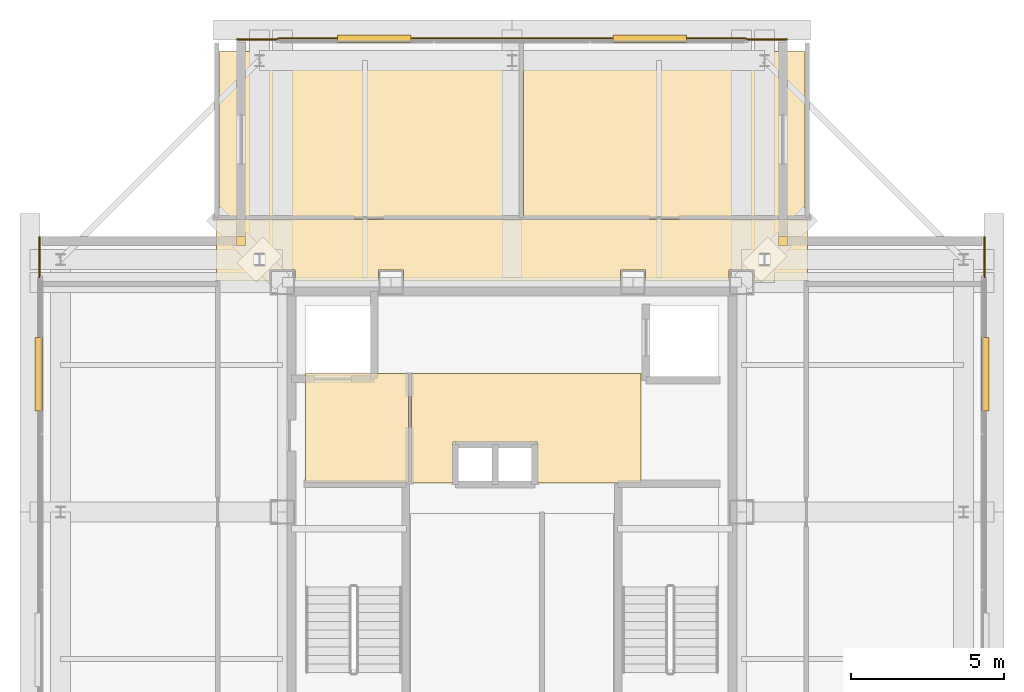
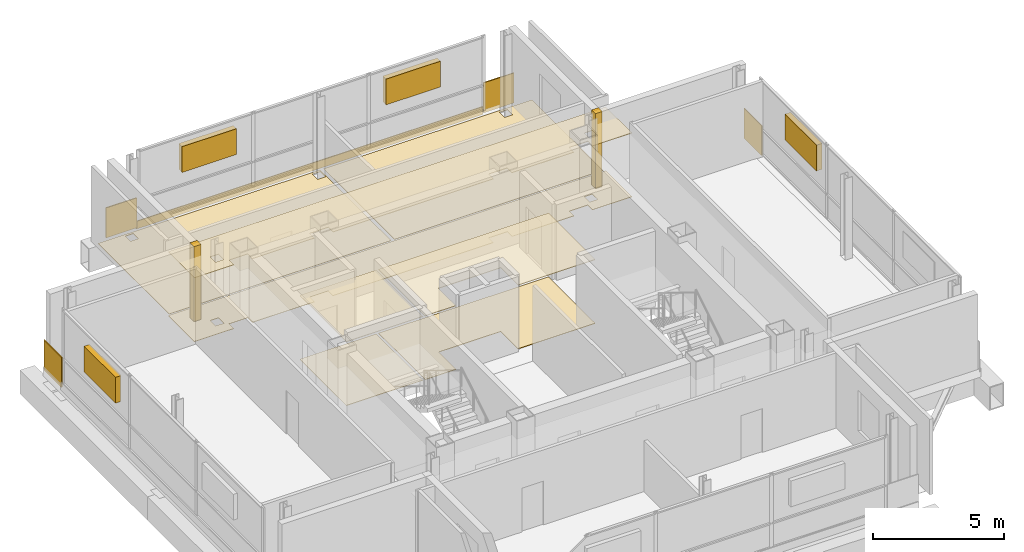
# One storey, part 10 of 10: 15 coverings, 4 shading devices.
"""IFC4 building model written with IfcOpenShell, lengths in metres."""

from ifc_helpers import new_model, si_unit, direction, frame, frame_2d, origin, origin_2d, place, context, subcontext, project, spatial, polyline, rectangle, outline, extrude, material, layer, layer_set, type_object, element, save


model = new_model("IFC4")

# Units and contexts
model_context = context("Model", 3, precision=1e-05, world=origin(), true_north=direction((0.0, 1.0)))
body_context = subcontext(model_context, "Body", "Model", "MODEL_VIEW")
ifc_project = project(units=[si_unit("LENGTHUNIT", "METRE"), si_unit("AREAUNIT", "SQUARE_METRE"), si_unit("VOLUMEUNIT", "CUBIC_METRE"), si_unit("PLANEANGLEUNIT", "RADIAN"), si_unit("MASSUNIT", "GRAM", prefix="KILO")], contexts=[model_context])

# Site, building, storey
site_placement = place(None, origin())
site = spatial("IfcSite", under=ifc_project, at=site_placement, CompositionType="ELEMENT")
building_placement = place(site_placement, origin())
building = spatial("IfcBuilding", under=site, at=building_placement, Name="Trevonay Congress Spire", CompositionType="ELEMENT")
storey_placement = place(building_placement, frame((0.0, 0.0, 316.0)))
storey = spatial("IfcBuildingStorey", under=building, at=storey_placement, Name="L83", CompositionType="ELEMENT", Elevation=316.0)

# Coverings
ifc_material_1 = material(Name="Acoustic Mineral Fibre Board", Category="gypsum")
ifc_layer_1 = layer(ifc_material_1, 0.02490234375, Name="Acoustic Mineral Fibre Board")
ifc_layer_set_1 = layer_set([ifc_layer_1], Name="Acoustic Mineral Fibre Board")
covering_type_1 = type_object("IfcCoveringType", Name="COV-CEIL-ACOUSTIC", PredefinedType="CEILING", material=ifc_layer_set_1)
covering_1_placement = place(storey_placement, frame((0.0, 0.0, 2.969970703125)))
element("IfcCovering", 1, at=covering_1_placement, inside=storey, type_object=covering_type_1, Name="L83 Firefighting Lift Lobby West acoustic suspended ceiling", PredefinedType="CEILING", context=body_context, shape_type="SweptSolid", body=[
    extrude(outline(polyline([(-6.75, 0.9599609375), (-3.3798828125, 0.9599609375), (-3.3798828125, 4.52001953125), (-6.75, 4.52001953125), (-6.75, 0.9599609375)])), origin(), (0.0, 0.0, 1.0), 0.025146484375),
])
covering_2_placement = place(storey_placement, frame((0.0, 0.0, 2.969970703125)))
element("IfcCovering", 2, at=covering_2_placement, inside=storey, type_object=covering_type_1, Name="L83 Central and High-Rise Passenger Lift Lobby acoustic suspended ceiling", PredefinedType="CEILING", context=body_context, shape_type="SweptSolid", body=[
    extrude(outline(polyline([(-3.280029296875, 0.949951171875), (-1.919921875, 0.949951171875), (-1.919921875, 2.280029296875), (0.820068359375, 2.280029296875), (0.820068359375, 0.949951171875), (4.219970703125, 0.949951171875), (4.219970703125, 4.52001953125), (-3.280029296875, 4.52001953125), (-3.280029296875, 0.949951171875)])), origin(), (0.0, 0.0, 1.0), 0.025146484375),
])
covering_3_placement = place(storey_placement, frame((0.0, 0.0, 2.969970703125)))
element("IfcCovering", 3, at=covering_3_placement, inside=storey, type_object=covering_type_1, Name="L83 Crown Gallery Corridor North acoustic suspended ceiling", PredefinedType="CEILING", context=body_context, shape_type="SweptSolid", body=[
    extrude(outline(polyline([(-9.64990234375, 7.550048828125), (-9.64990234375, 9.550048828125), (9.64990234375, 9.550048828125), (9.64990234375, 7.550048828125), (7.909912109375, 7.550048828125), (7.909912109375, 7.909912109375), (7.090087890625, 7.909912109375), (7.090087890625, 7.550048828125), (4.360107421875, 7.550048828125), (4.360107421875, 7.909912109375), (3.5400390625, 7.909912109375), (3.5400390625, 7.550048828125), (-3.5400390625, 7.550048828125), (-3.5400390625, 7.909912109375), (-4.360107421875, 7.909912109375), (-4.360107421875, 7.550048828125), (-7.090087890625, 7.550048828125), (-7.090087890625, 7.909912109375), (-7.909912109375, 7.909912109375), (-7.909912109375, 7.550048828125), (-9.64990234375, 7.550048828125)]), holes=[polyline([(-8.070068359375, 8.45654296875), (-8.429931640625, 8.45654296875), (-8.429931640625, 8.04345703125), (-8.070068359375, 8.04345703125), (-8.070068359375, 8.45654296875)]), polyline([(8.429931640625, 8.45654296875), (8.070068359375, 8.45654296875), (8.070068359375, 8.04345703125), (8.429931640625, 8.04345703125), (8.429931640625, 8.45654296875)])]), origin(), (0.0, 0.0, 1.0), 0.025146484375),
])
ifc_material_2 = material(Name="Polished Granite Floor Tile", Category="masonry")
ifc_layer_2 = layer(ifc_material_2, 0.02001953125, Name="Polished Granite Floor Tile")
ifc_layer_set_2 = layer_set([ifc_layer_2], Name="Polished Granite Floor Tile")
covering_type_2 = type_object("IfcCoveringType", Name="COV-FLOOR-STONE", PredefinedType="FLOORING", material=ifc_layer_set_2)
covering_4_placement = place(storey_placement, origin())
element("IfcCovering", 4, at=covering_4_placement, inside=storey, type_object=covering_type_2, Name="L83 Firefighting Lift Lobby West floor finish", PredefinedType="FLOORING", context=body_context, shape_type="SweptSolid", body=[
    extrude(outline(polyline([(-6.75, 0.9599609375), (-3.3798828125, 0.9599609375), (-3.3798828125, 4.52001953125), (-6.75, 4.52001953125), (-6.75, 0.9599609375)])), origin(), (0.0, 0.0, 1.0), 0.02001953125),
])
covering_5_placement = place(storey_placement, origin())
element("IfcCovering", 5, at=covering_5_placement, inside=storey, type_object=covering_type_2, Name="L83 Central and High-Rise Passenger Lift Lobby floor finish", PredefinedType="FLOORING", context=body_context, shape_type="SweptSolid", body=[
    extrude(outline(polyline([(-3.280029296875, 0.949951171875), (-1.919921875, 0.949951171875), (-1.919921875, 2.280029296875), (0.820068359375, 2.280029296875), (0.820068359375, 0.949951171875), (4.219970703125, 0.949951171875), (4.219970703125, 4.52001953125), (-3.280029296875, 4.52001953125), (-3.280029296875, 0.949951171875)])), origin(), (0.0, 0.0, 1.0), 0.02001953125),
])
covering_6_placement = place(storey_placement, origin())
element("IfcCovering", 6, at=covering_6_placement, inside=storey, type_object=covering_type_2, Name="L83 Crown Gallery Corridor North floor finish", PredefinedType="FLOORING", context=body_context, shape_type="SweptSolid", body=[
    extrude(outline(polyline([(-9.64990234375, 7.550048828125), (-9.64990234375, 9.550048828125), (9.64990234375, 9.550048828125), (9.64990234375, 7.550048828125), (7.909912109375, 7.550048828125), (7.909912109375, 7.909912109375), (7.090087890625, 7.909912109375), (7.090087890625, 7.550048828125), (4.360107421875, 7.550048828125), (4.360107421875, 7.909912109375), (3.5400390625, 7.909912109375), (3.5400390625, 7.550048828125), (-3.5400390625, 7.550048828125), (-3.5400390625, 7.909912109375), (-4.360107421875, 7.909912109375), (-4.360107421875, 7.550048828125), (-7.090087890625, 7.550048828125), (-7.090087890625, 7.909912109375), (-7.909912109375, 7.909912109375), (-7.909912109375, 7.550048828125), (-9.64990234375, 7.550048828125)]), holes=[polyline([(-8.070068359375, 8.45654296875), (-8.429931640625, 8.45654296875), (-8.429931640625, 8.04345703125), (-8.070068359375, 8.04345703125), (-8.070068359375, 8.45654296875)]), polyline([(8.429931640625, 8.45654296875), (8.070068359375, 8.45654296875), (8.070068359375, 8.04345703125), (8.429931640625, 8.04345703125), (8.429931640625, 8.45654296875)])]), origin(), (0.0, 0.0, 1.0), 0.02001953125),
])
covering_7_placement = place(storey_placement, origin())
element("IfcCovering", 7, at=covering_7_placement, inside=storey, type_object=covering_type_2, Name="L83 Crown Electrical Switchroom Plant floor finish", PredefinedType="FLOORING", context=body_context, shape_type="SweptSolid", body=[
    extrude(outline(polyline([(-9.570068359375, 15.050048828125), (0.219970703125, 15.050048828125), (0.219970703125, 9.6201171875), (-9.570068359375, 9.6201171875), (-9.570068359375, 15.050048828125)]), holes=[polyline([(-8.4208984375, 14.553955078125), (-8.0791015625, 14.553955078125), (-8.0791015625, 14.946044921875), (-8.4208984375, 14.946044921875), (-8.4208984375, 14.553955078125)]), polyline([(-0.1708984375, 14.553955078125), (0.1708984375, 14.553955078125), (0.1708984375, 14.946044921875), (-0.1708984375, 14.946044921875), (-0.1708984375, 14.553955078125)])]), origin(), (0.0, 0.0, 1.0), 0.02001953125),
])
covering_8_placement = place(storey_placement, origin())
element("IfcCovering", 8, at=covering_8_placement, inside=storey, type_object=covering_type_2, Name="L83 Standby UPS Battery Plant floor finish", PredefinedType="FLOORING", context=body_context, shape_type="SweptSolid", body=[
    extrude(outline(polyline([(0.3798828125, 15.050048828125), (9.570068359375, 15.050048828125), (9.570068359375, 9.6201171875), (0.3798828125, 9.6201171875), (0.3798828125, 15.050048828125)]), holes=[polyline([(8.4208984375, 14.553955078125), (8.4208984375, 14.946044921875), (8.0791015625, 14.946044921875), (8.0791015625, 14.553955078125), (8.4208984375, 14.553955078125)])]), origin(), (0.0, 0.0, 1.0), 0.02001953125),
])
ifc_material_3 = material(Name="Pale Anodised Aluminium EN AW-6063-T6", Category="aluminium")
ifc_layer_3 = layer(ifc_material_3, 0.0400390625, Name="Pale Anodised Aluminium EN AW-6063-T6")
ifc_layer_set_3 = layer_set([ifc_layer_3], Name="Pale Anodised Aluminium EN AW-6063-T6")
covering_type_3 = type_object("IfcCoveringType", Name="COV-SPANDREL-PALE-METAL", PredefinedType="CLADDING", material=ifc_layer_set_3)
covering_9_placement = place(storey_placement, frame((-7.64990234375, 15.47998046875, -0.239990234375), z_axis=(0.0, 0.0, 1.0), x_axis=(1.0, 0.0, 0.0)))
element("IfcCovering", 9, at=covering_9_placement, inside=storey, type_object=covering_type_3, Name="L83 N pale-metal slab-edge spandrel cladding", PredefinedType="CLADDING", context=body_context, shape_type="SweptSolid", body=[
    extrude(rectangle(XDim=15.2998046875, YDim=0.0400390625, at=frame_2d((7.64990234375, 0.0))), origin(), (0.0, 0.0, 1.0), 0.360107421875),
])
covering_10_placement = place(storey_placement, origin())
element("IfcCovering", 10, at=covering_10_placement, inside=storey, type_object=covering_type_3, Name="L83 NE re-entrant notch corner closure trim", PredefinedType="CLADDING", context=body_context, shape_type="SweptSolid", body=[
    extrude(outline(polyline([(8.699951171875, 8.699951171875), (9.0, 8.699951171875), (9.0, 9.0), (8.699951171875, 9.0), (8.699951171875, 8.699951171875)])), origin(), (0.0, 0.0, 1.0), 3.52001953125),
])
for number, where, z_axis, x_axis, name in (
    (11, (15.43994140625, 7.64990234375, -0.14990234375), (0.0, 0.0, 1.0), (0.0, 1.0, 0.0), "L83 NE corner pier spandrel cladding 1"),
    (12, (7.64990234375, 15.43994140625, -0.14990234375), (0.0, 0.0, 1.0), (1.0, 0.0, 0.0), "L83 NE corner pier spandrel cladding 2"),
):
    element("IfcCovering", number, at=place(storey_placement, frame(where, z_axis=z_axis, x_axis=x_axis)), inside=storey, type_object=covering_type_3, Name=name, PredefinedType="CLADDING", context=body_context, shape_type="SweptSolid", body=[
        extrude(rectangle(XDim=1.35009765625, YDim=0.0400390625, at=frame_2d((0.675048828125, 0.0))), origin(), (0.0, 0.0, 1.0), 1.39990234375),
    ])
covering_11_placement = place(storey_placement, origin())
element("IfcCovering", 13, at=covering_11_placement, inside=storey, type_object=covering_type_3, Name="L83 NW re-entrant notch corner closure trim", PredefinedType="CLADDING", context=body_context, shape_type="SweptSolid", body=[
    extrude(outline(polyline([(-9.0, 8.699951171875), (-8.699951171875, 8.699951171875), (-8.699951171875, 9.0), (-9.0, 9.0), (-9.0, 8.699951171875)])), origin(), (0.0, 0.0, 1.0), 3.52001953125),
])
for number, where, z_axis, x_axis, name in (
    (14, (-15.43994140625, 7.64990234375, -0.14990234375), (0.0, 0.0, 1.0), (0.0, 1.0, 0.0), "L83 NW corner pier spandrel cladding 1"),
    (15, (-7.64990234375, 15.43994140625, -0.14990234375), (0.0, 0.0, 1.0), (-1.0, 0.0, 0.0), "L83 NW corner pier spandrel cladding 2"),
):
    element("IfcCovering", number, at=place(storey_placement, frame(where, z_axis=z_axis, x_axis=x_axis)), inside=storey, type_object=covering_type_3, Name=name, PredefinedType="CLADDING", context=body_context, shape_type="SweptSolid", body=[
        extrude(rectangle(XDim=1.35009765625, YDim=0.0400390625, at=frame_2d((0.675048828125, 0.0))), origin(), (0.0, 0.0, 1.0), 1.39990234375),
    ])

# Shading devices
shading_device_type = type_object("IfcShadingDeviceType", Name="SHD-LOUVRE-PLANT-ALUM", PredefinedType="USERDEFINED", material=ifc_material_3)
for number, where, z_axis, x_axis, name in (
    (16, (-4.5, 15.4599609375, 1.7998046875), (0.0, 0.0, 1.0), (1.0, 0.0, 0.0), "L83 N crown plant intake louvre 1"),
    (17, (4.5, 15.4599609375, 1.7998046875), (0.0, 0.0, 1.0), (1.0, 0.0, 0.0), "L83 N crown plant intake louvre 2"),
    (18, (-15.4599609375, 4.5, 1.7998046875), (0.0, 0.0, 1.0), (0.0, 1.0, 0.0), "L83 W crown plant intake louvre 2"),
    (19, (15.4599609375, 4.5, 1.7998046875), (0.0, 0.0, 1.0), (0.0, 1.0, 0.0), "L83 E crown plant intake louvre 2"),
):
    element("IfcShadingDevice", number, at=place(storey_placement, frame(where, z_axis=z_axis, x_axis=x_axis)), inside=storey, type_object=shading_device_type, Name=name, ObjectType="LOUVRE", PredefinedType="USERDEFINED", context=body_context, shape_type="SweptSolid", body=[
        extrude(rectangle(XDim=2.39990234375, YDim=0.25, at=origin_2d()), origin(), (0.0, 0.0, 1.0), 1.199951171875),
    ])

save(model, "model.ifc")
